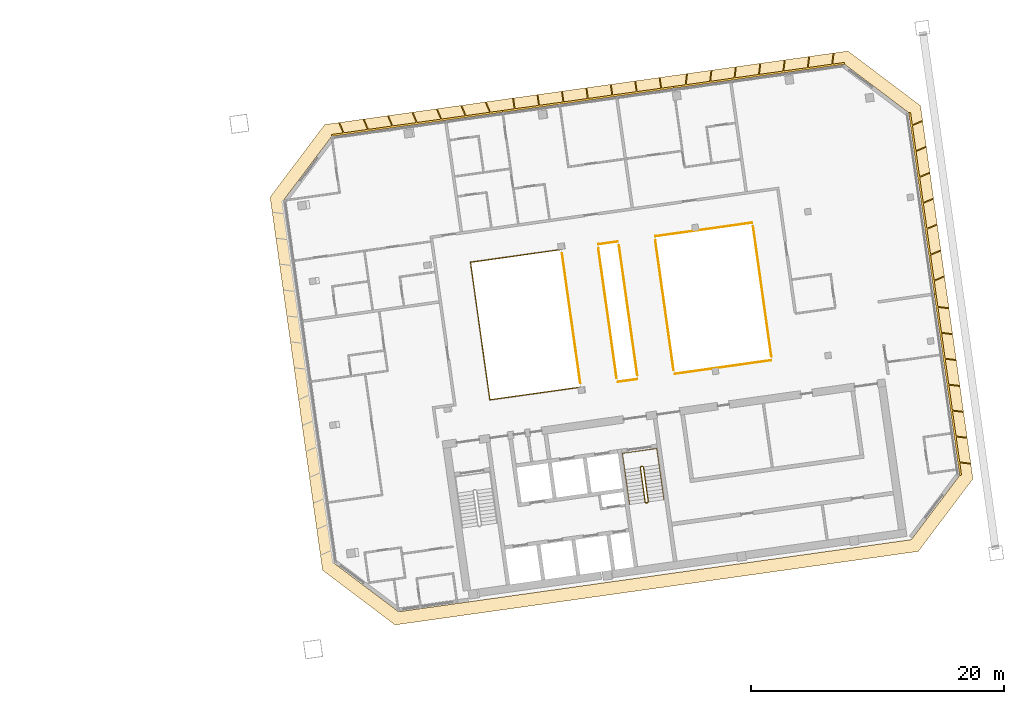
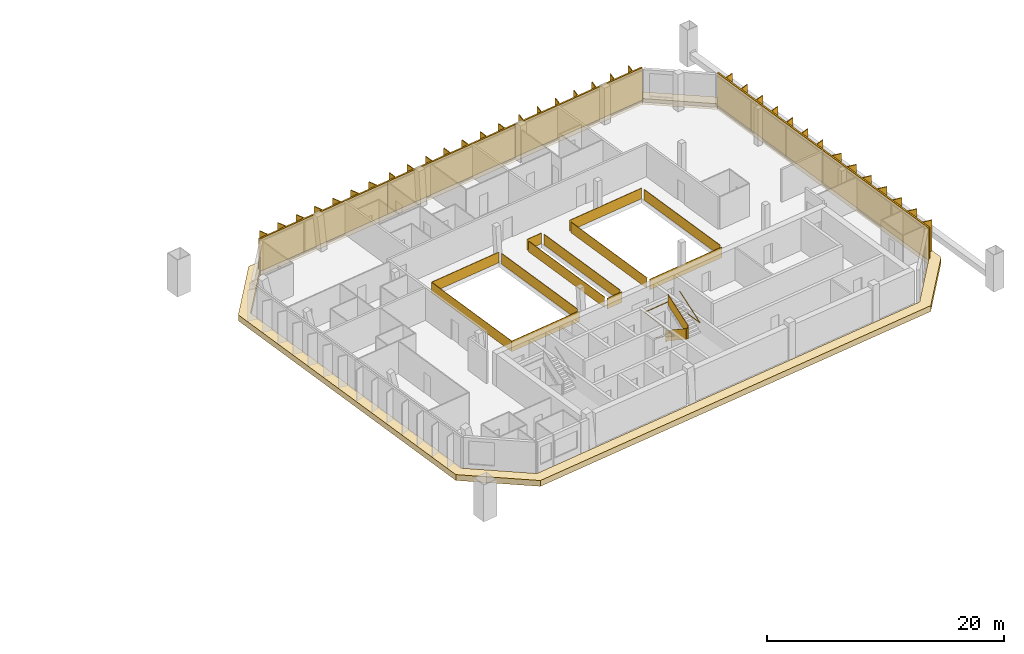
# One storey, part 26 of 26: 12 railings, 5 shading devices, 1 covering.
"""IFC4 building model written with IfcOpenShell, lengths in metres."""

from ifc_helpers import new_model, si_unit, direction, frame, origin, origin_2d, place, context, subcontext, project, spatial, polyline, rectangle, outline, extrude, material, layer, layer_set, type_object, element, save


model = new_model("IFC4")

# Units and contexts
model_context = context("Model", 3, precision=1e-05, world=origin(), true_north=direction((0.0, 1.0)))
body_context = subcontext(model_context, "Body", "Model", "MODEL_VIEW")
ifc_project = project(units=[si_unit("LENGTHUNIT", "METRE"), si_unit("AREAUNIT", "SQUARE_METRE"), si_unit("VOLUMEUNIT", "CUBIC_METRE"), si_unit("PLANEANGLEUNIT", "RADIAN"), si_unit("MASSUNIT", "GRAM", prefix="KILO")], contexts=[model_context])

# Site, building, storey
site_placement = place(None, origin())
site = spatial("IfcSite", under=ifc_project, at=site_placement, CompositionType="ELEMENT")
building_placement = place(site_placement, origin())
building = spatial("IfcBuilding", under=site, at=building_placement, Name="Mirante Cascada Hotel Towers", CompositionType="ELEMENT")
storey_placement = place(building_placement, frame((0.0, 0.0, 216.6)))
storey = spatial("IfcBuildingStorey", under=building, at=storey_placement, Name="L51", CompositionType="ELEMENT", Elevation=216.6)

# Railings
ifc_material_1 = material(Name="Toughened glass with stainless steel handrail", Category="steel")
railing_type_1 = type_object("IfcRailingType", Name="Atrium guard 1100 glass balustrade", PredefinedType="GUARDRAIL", material=ifc_material_1)
railing_1_placement = place(storey_placement, frame((45.0091, 7.7841, 0.0)))
element("IfcRailing", 1, at=railing_1_placement, inside=storey, type_object=railing_type_1, Name="GUARD 2-L51-1", PredefinedType="GUARDRAIL", context=body_context, shape_type="SweptSolid", body=[
    extrude(rectangle(XDim=0.048, YDim=0.048, at=origin_2d()), frame((0.0, 0.0, 1.076), z_axis=(-0.9902678, -0.1391751, 0.0), x_axis=(0.1391751, -0.9902678, 0.0)), (0.0, 0.0, 1.0), 7.2247),
    extrude(rectangle(XDim=0.02, YDim=1.052, at=origin_2d()), frame((0.0, 0.0, 0.526), z_axis=(-0.9902678, -0.1391751, 0.0), x_axis=(0.1391751, -0.9902678, 0.0)), (0.0, 0.0, 1.0), 7.2247),
    extrude(rectangle(XDim=0.048, YDim=0.048, at=origin_2d()), frame((-7.1544, -1.0055, 1.076), z_axis=(0.1391721, -0.9902682, 0.0), x_axis=(0.9902682, 0.1391721, 0.0)), (0.0, 0.0, 1.0), 11.0001),
    extrude(rectangle(XDim=0.02, YDim=1.052, at=origin_2d()), frame((-7.1544, -1.0055, 0.526), z_axis=(0.1391721, -0.9902682, 0.0), x_axis=(0.9902682, 0.1391721, 0.0)), (0.0, 0.0, 1.0), 11.0001),
    extrude(rectangle(XDim=0.048, YDim=0.048, at=origin_2d()), frame((-5.6235, -11.8985, 1.076), z_axis=(0.9902678, 0.1391751, 0.0), x_axis=(-0.1391751, 0.9902678, 0.0)), (0.0, 0.0, 1.0), 7.2247),
    extrude(rectangle(XDim=0.02, YDim=1.052, at=origin_2d()), frame((-5.6235, -11.8985, 0.526), z_axis=(0.9902678, 0.1391751, 0.0), x_axis=(-0.1391751, 0.9902678, 0.0)), (0.0, 0.0, 1.0), 7.2247),
])
railing_2_placement = place(storey_placement, frame((49.5108, -2.6914, 0.0)))
element("IfcRailing", 2, at=railing_2_placement, inside=storey, type_object=railing_type_1, Name="GUARD 2-L51-2", PredefinedType="GUARDRAIL", context=body_context, shape_type="SweptSolid", body=[
    extrude(rectangle(XDim=0.048, YDim=0.048, at=origin_2d()), frame((0.0, 0.0, 1.076), z_axis=(0.9902609, 0.1392243, 0.0), x_axis=(-0.1392243, 0.9902609, 0.0)), (0.0, 0.0, 1.0), 1.555),
    extrude(rectangle(XDim=0.02, YDim=1.052, at=origin_2d()), frame((0.0, 0.0, 0.526), z_axis=(0.9902609, 0.1392243, 0.0), x_axis=(-0.1392243, 0.9902609, 0.0)), (0.0, 0.0, 1.0), 1.555),
])
railing_3_placement = place(storey_placement, frame((49.5198, 8.418, 0.0)))
element("IfcRailing", 3, at=railing_3_placement, inside=storey, type_object=railing_type_1, Name="GUARD 2-L51-3", PredefinedType="GUARDRAIL", context=body_context, shape_type="SweptSolid", body=[
    extrude(rectangle(XDim=0.048, YDim=0.048, at=origin_2d()), frame((0.0, 0.0, 1.076), z_axis=(-0.9902697, -0.1391612, 0.0), x_axis=(0.1391612, -0.9902697, 0.0)), (0.0, 0.0, 1.0), 1.555),
    extrude(rectangle(XDim=0.02, YDim=1.052, at=origin_2d()), frame((0.0, 0.0, 0.526), z_axis=(-0.9902697, -0.1391612, 0.0), x_axis=(0.1391612, -0.9902697, 0.0)), (0.0, 0.0, 1.0), 1.555),
])
railing_4_placement = place(storey_placement, frame((54.0215, -2.0574, 0.0)))
element("IfcRailing", 4, at=railing_4_placement, inside=storey, type_object=railing_type_1, Name="GUARD 2-L51-4", PredefinedType="GUARDRAIL", context=body_context, shape_type="SweptSolid", body=[
    extrude(rectangle(XDim=0.048, YDim=0.048, at=origin_2d()), frame((0.0, 0.0, 1.076), z_axis=(0.9902689, 0.1391669, 0.0), x_axis=(-0.1391669, 0.9902689, 0.0)), (0.0, 0.0, 1.0), 7.7202),
    extrude(rectangle(XDim=0.02, YDim=1.052, at=origin_2d()), frame((0.0, 0.0, 0.526), z_axis=(0.9902689, 0.1391669, 0.0), x_axis=(-0.1391669, 0.9902689, 0.0)), (0.0, 0.0, 1.0), 7.7202),
    extrude(rectangle(XDim=0.048, YDim=0.048, at=origin_2d()), frame((7.6451, 1.0744, 1.076), z_axis=(-0.9902918, -0.1390043, 0.0), x_axis=(0.1390043, -0.9902918, 0.0)), (0.0, 0.0, 1.0), 0.1101),
    extrude(rectangle(XDim=0.02, YDim=1.052, at=origin_2d()), frame((7.6451, 1.0744, 0.526), z_axis=(-0.9902918, -0.1390043, 0.0), x_axis=(0.1390043, -0.9902918, 0.0)), (0.0, 0.0, 1.0), 0.1101),
])
railing_5_placement = place(storey_placement, frame((60.0267, 9.8947, 0.0)))
element("IfcRailing", 5, at=railing_5_placement, inside=storey, type_object=railing_type_1, Name="GUARD 2-L51-5", PredefinedType="GUARDRAIL", context=body_context, shape_type="SweptSolid", body=[
    extrude(rectangle(XDim=0.048, YDim=0.048, at=origin_2d()), frame((0.0, 0.0, 1.076), z_axis=(0.9902918, 0.1390043, 0.0), x_axis=(-0.1390043, 0.9902918, 0.0)), (0.0, 0.0, 1.0), 0.1101),
    extrude(rectangle(XDim=0.02, YDim=1.052, at=origin_2d()), frame((0.0, 0.0, 0.526), z_axis=(0.9902918, 0.1390043, 0.0), x_axis=(-0.1390043, 0.9902918, 0.0)), (0.0, 0.0, 1.0), 0.1101),
    extrude(rectangle(XDim=0.048, YDim=0.048, at=origin_2d()), frame((0.109, 0.0153, 1.076), z_axis=(-0.9902672, -0.1391796, 0.0), x_axis=(0.1391796, -0.9902672, 0.0)), (0.0, 0.0, 1.0), 7.7202),
    extrude(rectangle(XDim=0.02, YDim=1.052, at=origin_2d()), frame((0.109, 0.0153, 0.526), z_axis=(-0.9902672, -0.1391796, 0.0), x_axis=(0.1391796, -0.9902672, 0.0)), (0.0, 0.0, 1.0), 7.7202),
])
railing_6_placement = place(storey_placement, frame((46.5474, -2.8093, 0.0)))
element("IfcRailing", 6, at=railing_6_placement, inside=storey, type_object=railing_type_1, Name="GUARD 2-L51-6", PredefinedType="GUARDRAIL", context=body_context, shape_type="SweptSolid", body=[
    extrude(rectangle(XDim=0.048, YDim=0.048, at=origin_2d()), frame((0.0, 0.0, 1.076), z_axis=(-0.1391721, 0.9902682, 0.0), x_axis=(-0.9902682, -0.1391721, 0.0)), (0.0, 0.0, 1.0), 10.4087),
    extrude(rectangle(XDim=0.02, YDim=1.052, at=origin_2d()), frame((0.0, 0.0, 0.526), z_axis=(-0.1391721, 0.9902682, 0.0), x_axis=(-0.9902682, -0.1391721, 0.0)), (0.0, 0.0, 1.0), 10.4087),
])
railing_7_placement = place(storey_placement, frame((47.9725, 7.902, 0.0)))
element("IfcRailing", 7, at=railing_7_placement, inside=storey, type_object=railing_type_1, Name="GUARD 2-L51-7", PredefinedType="GUARDRAIL", context=body_context, shape_type="SweptSolid", body=[
    extrude(rectangle(XDim=0.048, YDim=0.048, at=origin_2d()), frame((0.0, 0.0, 1.076), z_axis=(0.1391721, -0.9902682, 0.0), x_axis=(0.9902682, 0.1391721, 0.0)), (0.0, 0.0, 1.0), 10.4087),
    extrude(rectangle(XDim=0.02, YDim=1.052, at=origin_2d()), frame((0.0, 0.0, 0.526), z_axis=(0.1391721, -0.9902682, 0.0), x_axis=(0.9902682, 0.1391721, 0.0)), (0.0, 0.0, 1.0), 10.4087),
])
railing_8_placement = place(storey_placement, frame((51.0581, -2.1753, 0.0)))
element("IfcRailing", 8, at=railing_8_placement, inside=storey, type_object=railing_type_1, Name="GUARD 2-L51-8", PredefinedType="GUARDRAIL", context=body_context, shape_type="SweptSolid", body=[
    extrude(rectangle(XDim=0.048, YDim=0.048, at=origin_2d()), frame((0.0, 0.0, 1.076), z_axis=(-0.1391721, 0.9902682, 0.0), x_axis=(-0.9902682, -0.1391721, 0.0)), (0.0, 0.0, 1.0), 10.4087),
    extrude(rectangle(XDim=0.02, YDim=1.052, at=origin_2d()), frame((0.0, 0.0, 0.526), z_axis=(-0.1391721, 0.9902682, 0.0), x_axis=(-0.9902682, -0.1391721, 0.0)), (0.0, 0.0, 1.0), 10.4087),
])
railing_9_placement = place(storey_placement, frame((52.4832, 8.5359, 0.0)))
element("IfcRailing", 9, at=railing_9_placement, inside=storey, type_object=railing_type_1, Name="GUARD 2-L51-9", PredefinedType="GUARDRAIL", context=body_context, shape_type="SweptSolid", body=[
    extrude(rectangle(XDim=0.048, YDim=0.048, at=origin_2d()), frame((0.0, 0.0, 1.076), z_axis=(0.1391721, -0.9902682, 0.0), x_axis=(0.9902682, 0.1391721, 0.0)), (0.0, 0.0, 1.0), 10.4087),
    extrude(rectangle(XDim=0.02, YDim=1.052, at=origin_2d()), frame((0.0, 0.0, 0.526), z_axis=(0.1391721, -0.9902682, 0.0), x_axis=(0.9902682, 0.1391721, 0.0)), (0.0, 0.0, 1.0), 10.4087),
])
railing_10_placement = place(storey_placement, frame((61.675, -0.6834, 0.0)))
element("IfcRailing", 10, at=railing_10_placement, inside=storey, type_object=railing_type_1, Name="GUARD 2-L51-10", PredefinedType="GUARDRAIL", context=body_context, shape_type="SweptSolid", body=[
    extrude(rectangle(XDim=0.048, YDim=0.048, at=origin_2d()), frame((0.0, 0.0, 1.076), z_axis=(-0.1391776, 0.9902674, 0.0), x_axis=(-0.9902674, -0.1391776, 0.0)), (0.0, 0.0, 1.0), 10.409),
    extrude(rectangle(XDim=0.02, YDim=1.052, at=origin_2d()), frame((0.0, 0.0, 0.526), z_axis=(-0.1391776, 0.9902674, 0.0), x_axis=(-0.9902674, -0.1391776, 0.0)), (0.0, 0.0, 1.0), 10.409),
])

# Covering
ifc_material_2 = material(Name="Precast concrete C40/50 white", Category="concrete")
ifc_layer = layer(ifc_material_2, 0.6)
ifc_layer_set = layer_set([ifc_layer], Name="Precast concrete SUNSHADE band 1000x600")
covering_type = type_object("IfcCoveringType", Name="Precast concrete SUNSHADE band 1000x600", PredefinedType="CLADDING", material=ifc_layer_set)
covering_placement = place(storey_placement, frame((0.0, 0.0, -0.45)))
element("IfcCovering", 11, at=covering_placement, inside=storey, type_object=covering_type, Name="Precast concrete SUNSHADE band T2 L51", PredefinedType="CLADDING", context=body_context, shape_type="SweptSolid", body=[
    extrude(outline(polyline([(21.9871, 11.9346), (26.3156, 17.6787), (67.7326, 23.4995), (73.4767, 19.171), (77.628, -10.3671), (73.2995, -16.1112), (31.8825, -21.932), (26.1384, -17.6035), (21.9871, 11.9346)]), holes=[polyline([(76.5801, -10.0961), (72.5441, 18.6217), (67.4616, 22.4516), (26.865, 16.7461), (23.035, 11.6636), (27.071, -17.0541), (32.1535, -20.8841), (72.7501, -15.1786), (76.5801, -10.0961)])]), origin(), (0.0, 0.0, 1.0), 0.6),
])

# Railings
ifc_material_3 = material(Name="Painted steel", Category="steel")
railing_type_2 = type_object("IfcRailingType", Name="Stair guard 1100 steel balustrade", PredefinedType="GUARDRAIL", material=ifc_material_3)
railing_11_placement = place(storey_placement, frame((51.4864, -9.3815, 0.0)))
element("IfcRailing", 12, at=railing_11_placement, inside=storey, type_object=railing_type_2, Name="L51 ST2-B stair guard 1", PredefinedType="GUARDRAIL", context=body_context, shape_type="SweptSolid", body=[
    extrude(rectangle(XDim=0.048, YDim=0.048, at=origin_2d()), frame((0.0, 0.0, 1.076), z_axis=(-0.9902408, -0.1393672, 0.0), x_axis=(0.1393672, -0.9902408, 0.0)), (0.0, 0.0, 1.0), 0.15),
    extrude(rectangle(XDim=0.02, YDim=1.052, at=origin_2d()), frame((0.0, 0.0, 0.526), z_axis=(-0.9902408, -0.1393672, 0.0), x_axis=(0.1393672, -0.9902408, 0.0)), (0.0, 0.0, 1.0), 0.15),
    extrude(rectangle(XDim=0.048, YDim=0.048, at=origin_2d()), frame((-0.1485, -0.0209, 1.076), z_axis=(-0.6020331, -0.7984711, 0.0), x_axis=(0.7984711, -0.6020331, 0.0)), (0.0, 0.9253398, 0.3791387), 0.1866),
    extrude(rectangle(XDim=0.02, YDim=1.052, at=origin_2d()), frame((-0.1485, -0.0209, 0.526), z_axis=(-0.6020331, -0.7984711, 0.0), x_axis=(0.7984711, -0.6020331, 0.0)), (0.0, 0.9253398, 0.3791387), 0.1866),
    extrude(rectangle(XDim=0.048, YDim=0.048, at=origin_2d()), frame((-0.1911, -0.0774, 1.2487), z_axis=(0.139181, -0.990267, 0.0), x_axis=(0.990267, 0.139181, 0.0)), (0.0, 0.5250347, 0.8510808), 3.2899),
    extrude(rectangle(XDim=0.02, YDim=1.052, at=origin_2d()), frame((-0.1911, -0.0774, 0.6987), z_axis=(0.139181, -0.990267, 0.0), x_axis=(0.990267, 0.139181, 0.0)), (0.0, 0.5250347, 0.8510808), 3.2899),
    extrude(rectangle(XDim=0.048, YDim=0.048, at=origin_2d()), frame((0.1986, -2.8501, 2.976), z_axis=(0.9944441, -0.1052656, 0.0), x_axis=(0.1052656, 0.9944441, 0.0)), (0.0, 0.0, 1.0), 0.2061),
    extrude(rectangle(XDim=0.02, YDim=1.052, at=origin_2d()), frame((0.1986, -2.8501, 2.426), z_axis=(0.9944441, -0.1052656, 0.0), x_axis=(0.1052656, 0.9944441, 0.0)), (0.0, 0.0, 1.0), 0.2061),
    extrude(rectangle(XDim=0.048, YDim=0.048, at=origin_2d()), frame((0.4036, -2.8718, 2.976), z_axis=(-0.9902408, -0.1393672, 0.0), x_axis=(0.1393672, -0.9902408, 0.0)), (0.0, 0.0, 1.0), 0.15),
    extrude(rectangle(XDim=0.02, YDim=1.052, at=origin_2d()), frame((0.4036, -2.8718, 2.426), z_axis=(-0.9902408, -0.1393672, 0.0), x_axis=(0.1393672, -0.9902408, 0.0)), (0.0, 0.0, 1.0), 0.15),
    extrude(rectangle(XDim=0.048, YDim=0.048, at=origin_2d()), frame((0.2551, -2.8927, 2.976), z_axis=(0.9268624, 0.3754011, 0.0), x_axis=(-0.3754011, 0.9268624, 0.0)), (0.0, 0.6421217, 0.7666028), 0.269),
    extrude(rectangle(XDim=0.02, YDim=1.052, at=origin_2d()), frame((0.2551, -2.8927, 2.426), z_axis=(0.9268624, 0.3754011, 0.0), x_axis=(-0.3754011, 0.9268624, 0.0)), (0.0, 0.6421217, 0.7666028), 0.269),
    extrude(rectangle(XDim=0.048, YDim=0.048, at=origin_2d()), frame((0.4462, -2.8153, 3.1487), z_axis=(-0.139181, 0.990267, 0.0), x_axis=(-0.990267, -0.139181, 0.0)), (0.0, 0.5250347, 0.8510808), 3.2899),
    extrude(rectangle(XDim=0.02, YDim=1.052, at=origin_2d()), frame((0.4462, -2.8153, 2.5987), z_axis=(-0.139181, 0.990267, 0.0), x_axis=(-0.990267, -0.139181, 0.0)), (0.0, 0.5250347, 0.8510808), 3.2899),
])
ifc_material_4 = material(Name="Painted steel", Category="steel")
railing_type_3 = type_object("IfcRailingType", Name="Stair handrail 900 steel tube", PredefinedType="HANDRAIL", material=ifc_material_4)
railing_12_placement = place(storey_placement, frame((50.0575, -9.6328, 0.1727)))
element("IfcRailing", 13, at=railing_12_placement, inside=storey, type_object=railing_type_3, Name="L51 ST2-B stair handrail 1", PredefinedType="HANDRAIL", context=body_context, shape_type="SweptSolid", body=[
    extrude(rectangle(XDim=0.048, YDim=0.048, at=origin_2d()), frame((0.0, 0.0, 0.876), z_axis=(0.139176, -0.9902677, 0.0), x_axis=(0.9902677, 0.139176, 0.0)), (0.0, 0.5250212, 0.8510891), 3.29),
    extrude(rectangle(XDim=0.048, YDim=0.048, at=origin_2d()), frame((0.3897, -2.7728, 2.6033), z_axis=(-0.1391707, 0.9902684, 0.0), x_axis=(-0.9902684, -0.1391707, 0.0)), (0.0, 0.0420846, 0.999114), 4.1036),
    extrude(rectangle(XDim=0.048, YDim=0.048, at=origin_2d()), frame((-0.1809, 1.2873, 2.776), z_axis=(0.9902641, 0.1392013, 0.0), x_axis=(-0.1392013, 0.9902641, 0.0)), (0.0, 0.0, 1.0), 2.75),
    extrude(rectangle(XDim=0.048, YDim=0.048, at=origin_2d()), frame((2.5423, 1.6701, 2.776), z_axis=(0.1391707, -0.9902684, 0.0), x_axis=(0.9902684, 0.1391707, 0.0)), (0.0, 0.0, 1.0), 4.1),
    extrude(rectangle(XDim=0.048, YDim=0.048, at=origin_2d()), frame((3.1129, -2.39, 2.776), z_axis=(-0.139181, 0.990267, 0.0), x_axis=(-0.990267, -0.139181, 0.0)), (0.0, 0.5250347, 0.8510808), 3.2899),
])

# Shading devices
ifc_material_5 = material(Name="White precast concrete C50/60 fin", Category="concrete")
shading_device_type = type_object("IfcShadingDeviceType", Name="Vertical fin set 4500x900", PredefinedType="USERDEFINED", material=ifc_material_5)
shading_device_1_placement = place(storey_placement, origin())
element("IfcShadingDevice", 14, at=shading_device_1_placement, inside=storey, type_object=shading_device_type, Name="FIN T2 L51 front 1", ObjectType="FIN", PredefinedType="USERDEFINED", context=body_context, shape_type="SweptSolid", body=[
    extrude(outline(polyline([(55.0314, 21.6731), (54.9293, 20.8418), (56.7805, 21.102), (56.8852, 21.9545), (56.9646, 21.9448), (56.8625, 21.1135), (58.7137, 21.3736), (58.8184, 22.2262), (58.8978, 22.2164), (58.7957, 21.3852), (60.6468, 21.6453), (60.7515, 22.4979), (60.8309, 22.4881), (60.7289, 21.6569), (62.58, 21.917), (62.6847, 22.7696), (62.7641, 22.7598), (62.662, 21.9285), (64.5132, 22.1887), (64.6179, 23.0413), (64.6973, 23.0315), (64.5952, 22.2002), (66.4464, 22.4604), (66.551, 23.313), (66.6304, 23.3032), (66.5284, 22.4719), (67.4407, 22.6001), (67.4616, 22.4516), (53.9294, 20.5498), (53.9085, 20.6983), (54.8473, 20.8303), (54.952, 21.6828), (55.0314, 21.6731)])), origin(), (0.0, 0.0, 1.0), 3.35),
])
shading_device_2_placement = place(storey_placement, origin())
element("IfcShadingDevice", 15, at=shading_device_2_placement, inside=storey, type_object=shading_device_type, Name="FIN T2 L51 front 2", ObjectType="FIN", PredefinedType="USERDEFINED", context=body_context, shape_type="SweptSolid", body=[
    extrude(outline(polyline([(41.2642, 19.7796), (41.3825, 18.9379), (43.2364, 19.1985), (43.1181, 20.0402), (43.1974, 20.0513), (43.3157, 19.2096), (45.1696, 19.4701), (45.0513, 20.3119), (45.1305, 20.323), (45.2488, 19.4813), (47.1028, 19.7418), (46.9845, 20.5836), (47.0637, 20.5947), (47.182, 19.753), (49.0359, 20.0135), (48.9176, 20.8553), (48.9969, 20.8664), (49.1152, 20.0247), (50.9691, 20.2852), (50.8508, 21.1269), (50.93, 21.1381), (51.0483, 20.2963), (52.9023, 20.5569), (52.784, 21.3986), (52.8632, 21.4098), (52.9815, 20.568), (53.9085, 20.6983), (53.9294, 20.5498), (40.3972, 18.6479), (40.3763, 18.7965), (41.3033, 18.9268), (41.185, 19.7685), (41.2642, 19.7796)])), origin(), (0.0, 0.0, 1.0), 3.35),
])
shading_device_3_placement = place(storey_placement, origin())
element("IfcShadingDevice", 16, at=shading_device_3_placement, inside=storey, type_object=shading_device_type, Name="FIN T2 L51 front 3", ObjectType="FIN", PredefinedType="USERDEFINED", context=body_context, shape_type="SweptSolid", body=[
    extrude(outline(polyline([(27.5028, 17.8251), (27.8384, 17.0344), (29.6896, 17.2946), (29.3623, 18.0655), (29.436, 18.0968), (29.7716, 17.3061), (31.6227, 17.5663), (31.2955, 18.3372), (31.3691, 18.3685), (31.7047, 17.5778), (33.5559, 17.8379), (33.2287, 18.6089), (33.3023, 18.6401), (33.6379, 17.8495), (35.4891, 18.1096), (35.1618, 18.8806), (35.2355, 18.9118), (35.5711, 18.1212), (37.4222, 18.3813), (37.095, 19.1523), (37.1686, 19.1835), (37.5043, 18.3929), (39.3554, 18.653), (39.0282, 19.424), (39.1018, 19.4552), (39.4374, 18.6645), (40.3763, 18.7965), (40.3972, 18.6479), (26.865, 16.7461), (26.8441, 16.8947), (27.7564, 17.0229), (27.4291, 17.7938), (27.5028, 17.8251)])), origin(), (0.0, 0.0, 1.0), 3.35),
])
shading_device_4_placement = place(storey_placement, origin())
element("IfcShadingDevice", 17, at=shading_device_4_placement, inside=storey, type_object=shading_device_type, Name="FIN T2 L51 outer 1", ObjectType="FIN", PredefinedType="USERDEFINED", context=body_context, shape_type="SweptSolid", body=[
    extrude(outline(polyline([(77.4234, -9.2059), (76.5921, -9.1039), (76.7286, -10.0752), (76.5801, -10.0961), (74.5621, 4.2628), (74.7106, 4.2837), (74.8508, 3.2858), (75.7034, 3.1811), (75.6937, 3.1017), (74.8624, 3.2038), (75.1391, 1.2345), (75.9917, 1.1298), (75.9819, 1.0504), (75.1507, 1.1525), (75.4274, -0.8168), (76.28, -0.9214), (76.2702, -1.0009), (75.4389, -0.8988), (75.7157, -2.868), (76.5683, -2.9727), (76.5585, -3.0521), (75.7272, -2.9501), (76.004, -4.9193), (76.8565, -5.024), (76.8468, -5.1034), (76.0155, -5.0013), (76.2923, -6.9706), (77.1448, -7.0753), (77.1351, -7.1547), (76.3038, -7.0526), (76.5806, -9.0218), (77.4331, -9.1265), (77.4234, -9.2059)])), origin(), (0.0, 0.0, 1.0), 3.35),
])
shading_device_5_placement = place(storey_placement, origin())
element("IfcShadingDevice", 18, at=shading_device_5_placement, inside=storey, type_object=shading_device_type, Name="FIN T2 L51 outer 2", ObjectType="FIN", PredefinedType="USERDEFINED", context=body_context, shape_type="SweptSolid", body=[
    extrude(outline(polyline([(75.361, 5.6172), (74.5704, 5.2816), (74.7106, 4.2837), (74.5621, 4.2628), (72.5441, 18.6217), (72.6926, 18.6426), (72.8291, 17.6712), (73.6, 17.9984), (73.6313, 17.9248), (72.8406, 17.5892), (73.1174, 15.6199), (73.8883, 15.9472), (73.9196, 15.8735), (73.1289, 15.5379), (73.4057, 13.5687), (74.1766, 13.8959), (74.2079, 13.8223), (73.4172, 13.4866), (73.694, 11.5174), (74.4649, 11.8446), (74.4962, 11.771), (73.7055, 11.4354), (73.9823, 9.4661), (74.7532, 9.7934), (74.7845, 9.7197), (73.9938, 9.3841), (74.2705, 7.4148), (75.0415, 7.7421), (75.0727, 7.6684), (74.2821, 7.3328), (74.5588, 5.3636), (75.3298, 5.6908), (75.361, 5.6172)])), origin(), (0.0, 0.0, 1.0), 3.35),
])

save(model, "model.ifc")
